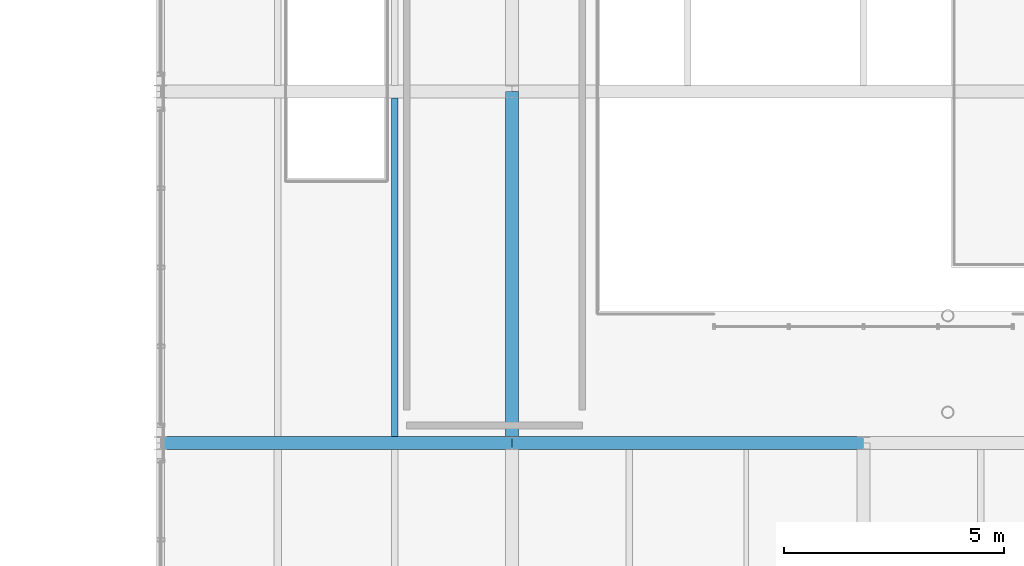
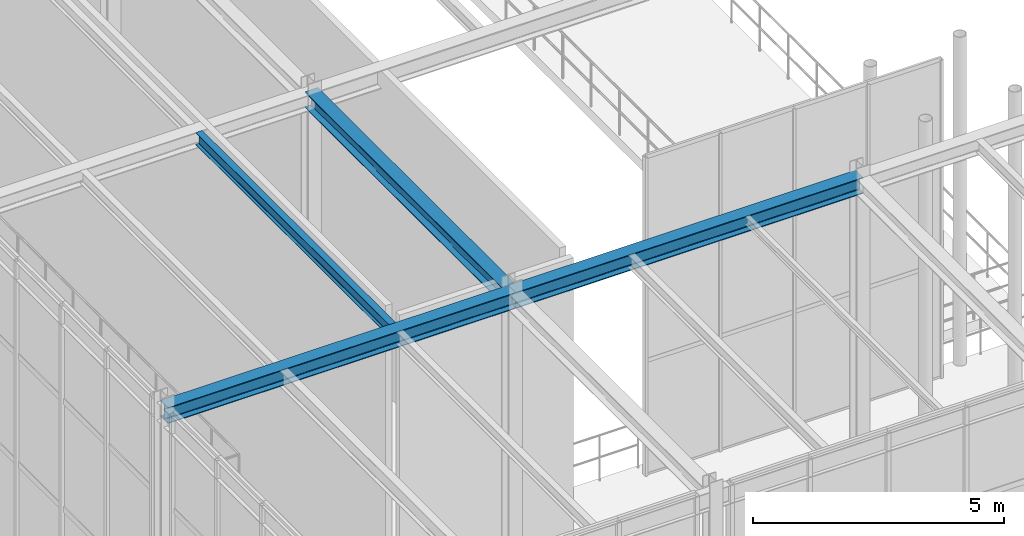
# One storey, part 38 of 138: 4 beams.
"""IFC4 building model written with IfcOpenShell, lengths in metres."""

from ifc_helpers import new_model, si_unit, direction, frame, origin, origin_2d, place, context, subcontext, project, spatial, i_section, extrude, material, material_profile, profile_set, type_object, element, save


model = new_model("IFC4")

# Units and contexts
model_context = context("Model", 3, precision=1e-05, world=origin(), true_north=direction((0.0, 1.0)))
body_context = subcontext(model_context, "Body", "Model", "MODEL_VIEW")
ifc_project = project(units=[si_unit("LENGTHUNIT", "METRE"), si_unit("AREAUNIT", "SQUARE_METRE"), si_unit("VOLUMEUNIT", "CUBIC_METRE"), si_unit("PLANEANGLEUNIT", "RADIAN"), si_unit("MASSUNIT", "GRAM", prefix="KILO")], contexts=[model_context])

# Site, building, storey
site_placement = place(None, origin())
site = spatial("IfcSite", under=ifc_project, at=site_placement, CompositionType="ELEMENT")
building_placement = place(site_placement, origin())
building = spatial("IfcBuilding", under=site, at=building_placement, Name="Sundkrona Museum", CompositionType="ELEMENT")
storey_placement = place(building_placement, frame((0.0, 0.0, 9.60009765625)))
storey = spatial("IfcBuildingStorey", under=building, at=storey_placement, Name="L02", CompositionType="ELEMENT", Elevation=9.60009765625)

# Beams
ifc_material = material(Name="Steel S355J2", Category="steel")
ifc_material_profile_1 = material_profile(ifc_material, i_section(OverallWidth=0.300048828125, OverallDepth=0.389892578125, WebThickness=0.010986328125, FlangeThickness=0.01904296875, FilletRadius=0.027099609375, at=origin_2d()), Name="HEA 400")
ifc_profile_set_1 = profile_set([ifc_material_profile_1], Name="Steel S355J2")
beam_type_1 = type_object("IfcBeamType", Name="B-HEA400", PredefinedType="BEAM", material=ifc_profile_set_1)
for number, where, z_axis, x_axis, name in (
    (1, (80.0, 8.0, 7.544921875), (1.0, 0.0, 0.0), (0.0, 1.0, 0.0), "L02 Girder X-1130"),
    (2, (88.0, 8.0, 7.544921875), (1.0, 0.0, 0.0), (0.0, 1.0, 0.0), "L02 Girder X-1131"),
    (3, (88.0, 8.0, 7.544921875), (0.0, 1.0, 0.0), (-1.0, 0.0, 0.0), "L02 Girder Y-1314"),
):
    element("IfcBeam", number, at=place(storey_placement, frame(where, z_axis=z_axis, x_axis=x_axis)), inside=storey, type_object=beam_type_1, Name=name, PredefinedType="BEAM", context=body_context, shape_type="SweptSolid", body=[
        extrude(i_section(OverallWidth=0.300048828125, OverallDepth=0.389892578125, WebThickness=0.010986328125, FlangeThickness=0.01904296875, FilletRadius=0.027099609375, at=origin_2d()), origin(), (0.0, 0.0, 1.0), 8.0),
    ])
ifc_material_profile_2 = material_profile(ifc_material, i_section(OverallWidth=0.14990234375, OverallDepth=0.300048828125, WebThickness=0.007080078125, FlangeThickness=0.0107421875, FilletRadius=0.014892578125, at=origin_2d()), Name="IPE 300")
ifc_profile_set_2 = profile_set([ifc_material_profile_2], Name="Steel S355J2")
beam_type_2 = type_object("IfcBeamType", Name="J-IPE300", PredefinedType="JOIST", material=ifc_profile_set_2)
beam_placement = place(storey_placement, frame((85.333251953125, 8.14404296875, 7.58984375), z_axis=(0.0, 1.0, 0.0), x_axis=(-1.0, 0.0, 0.0)))
element("IfcBeam", 4, at=beam_placement, inside=storey, type_object=beam_type_2, Name="L02 Composite Joist 0833", PredefinedType="JOIST", context=body_context, shape_type="SweptSolid", body=[
    extrude(i_section(OverallWidth=0.14990234375, OverallDepth=0.300048828125, WebThickness=0.007080078125, FlangeThickness=0.0107421875, FilletRadius=0.014892578125, at=origin_2d()), origin(), (0.0, 0.0, 1.0), 7.7119140625),
])

save(model, "model.ifc")
